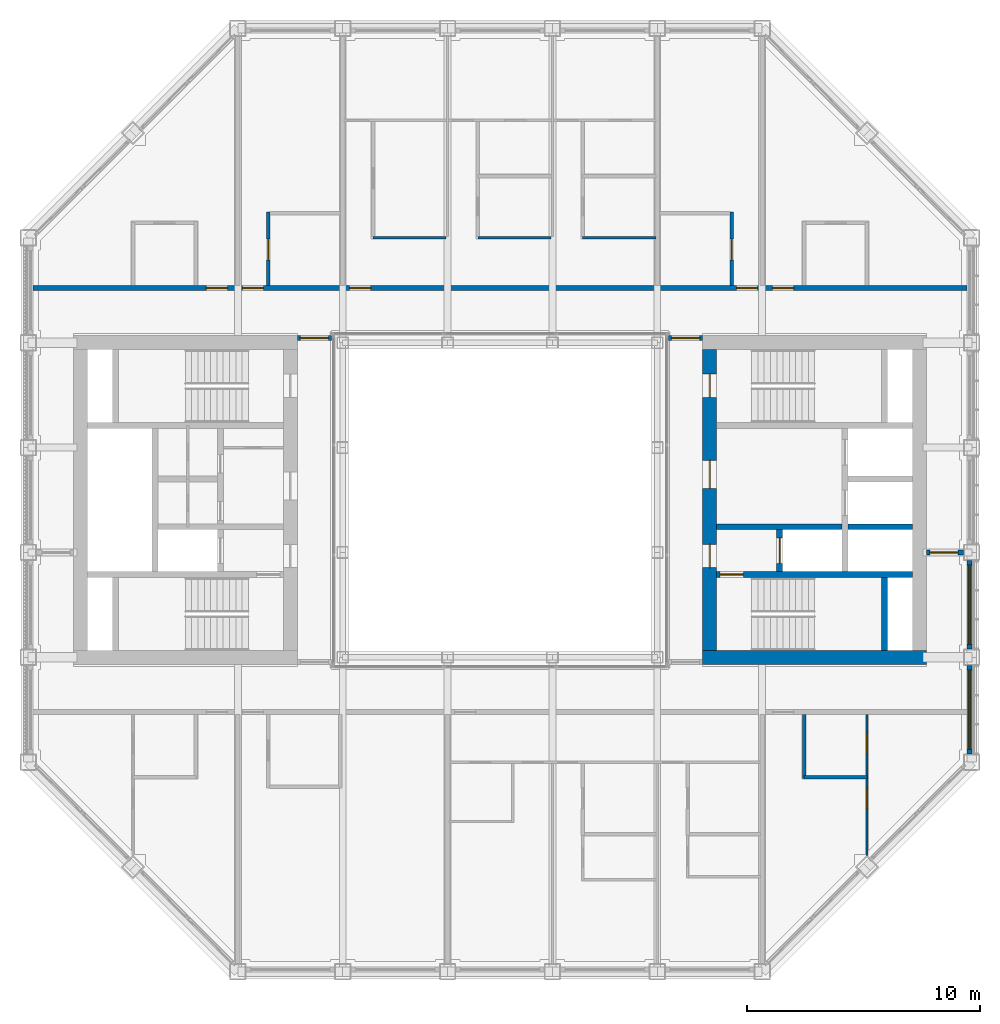
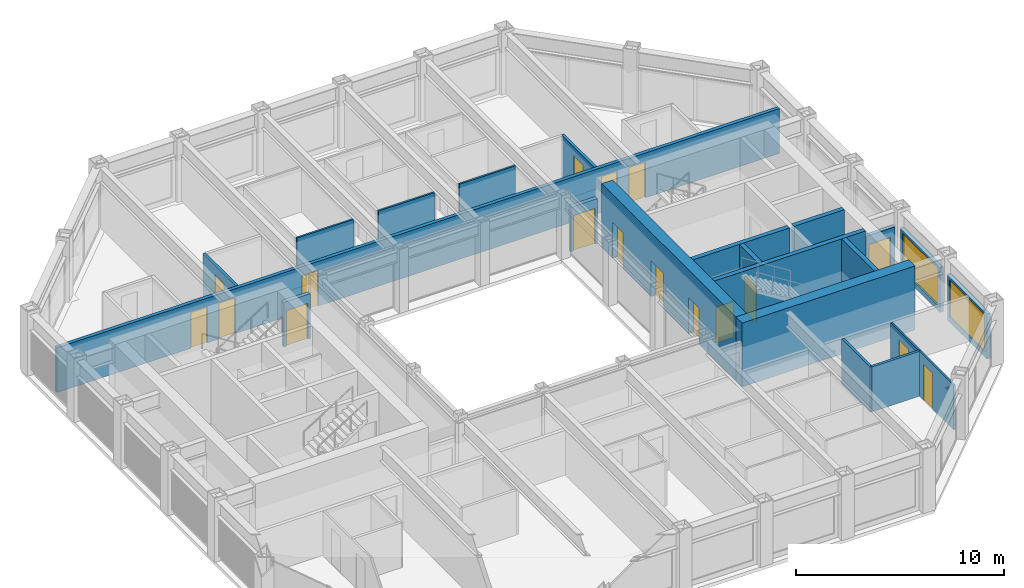
# One storey, part 11 of 17: 21 walls, 17 doors, 2 windows, 19 openings.
"""IFC4 building model written with IfcOpenShell, lengths in metres."""

from ifc_helpers import new_model, si_unit, direction, frame, frame_2d, origin, place, context, subcontext, project, spatial, rectangle, extrude, material, layer, layer_set, type_object, element, fill, save


model = new_model("IFC4")

# Units and contexts
model_context = context("Model", 3, precision=1e-05, world=origin(), true_north=direction((0.0, 1.0)))
body_context = subcontext(model_context, "Body", "Model", "MODEL_VIEW")
ifc_project = project(units=[si_unit("LENGTHUNIT", "METRE"), si_unit("AREAUNIT", "SQUARE_METRE"), si_unit("VOLUMEUNIT", "CUBIC_METRE"), si_unit("PLANEANGLEUNIT", "RADIAN"), si_unit("MASSUNIT", "GRAM", prefix="KILO")], contexts=[model_context])

# Site, building, storey
site_placement = place(None, origin())
site = spatial("IfcSite", under=ifc_project, at=site_placement, CompositionType="ELEMENT")
building_placement = place(site_placement, origin())
building = spatial("IfcBuilding", under=site, at=building_placement, Name="Msasa Ring Tower", CompositionType="ELEMENT")
storey_placement = place(building_placement, frame((0.0, 0.0, 238.300048828125)))
storey = spatial("IfcBuildingStorey", under=building, at=storey_placement, Name="L62", CompositionType="ELEMENT", Elevation=238.300048828125)

# Wall
ifc_material_1 = material(Name="Concrete C60/75", Category="concrete")
ifc_layer_1 = layer(ifc_material_1, 0.60009765625)
ifc_layer_set_1 = layer_set([ifc_layer_1], Name="CW3 CORE WALL 600")
wall_type_1 = type_object("IfcWallType", Name="CW3 CORE WALL 600", PredefinedType="SHEAR", material=ifc_layer_set_1)
wall_1_placement = place(storey_placement, frame((8.699951171875, -6.75, 0.0), z_axis=(0.0, 0.0, 1.0), x_axis=(1.0, 0.0, 0.0)))
element("IfcWall", 1, at=wall_1_placement, inside=storey, type_object=wall_type_1, Name="E core wall S L62", PredefinedType="SHEAR", context=body_context, shape_type="SweptSolid", body=[
    extrude(rectangle(XDim=9.60009765625, YDim=0.60009765625, at=frame_2d((4.800048828125, 0.0))), origin(), (0.0, 0.0, 1.0), 3.75),
])

# Wall, openings, doors
wall_2_placement = place(storey_placement, frame((9.0, -6.449951171875, 0.0), z_axis=(0.0, 0.0, 1.0), x_axis=(0.0, 1.0, 0.0)))
wall_2 = element("IfcWall", 2, at=wall_2_placement, inside=storey, type_object=wall_type_1, Name="E core wall W L62", PredefinedType="SHEAR", context=body_context, shape_type="SweptSolid", body=[
    extrude(rectangle(XDim=12.89990234375, YDim=0.60009765625, at=frame_2d((6.449951171875, 0.0))), origin(), (0.0, 0.0, 1.0), 3.75),
])
opening_1_placement = place(wall_2_placement, frame((3.550048828125, 0.0, 0.0)))
opening_1 = element("IfcOpeningElement", 3, at=opening_1_placement, cuts=wall_2, Name="Opening SD-032", PredefinedType="OPENING", context=body_context, shape_type="SweptSolid", body=[
    extrude(rectangle(XDim=1.0, YDim=2.10009765625, at=frame_2d((0.5, 1.050048828125))), frame((0.0, 0.31005859375, 0.0), z_axis=(0.0, -1.0, 0.0), x_axis=(1.0, 0.0, 0.0)), (0.0, 0.0, 1.0), 0.6201171875),
])
opening_2_placement = place(wall_2_placement, frame((6.949951171875, 0.0, 0.0)))
opening_2 = element("IfcOpeningElement", 4, at=opening_2_placement, cuts=wall_2, Name="Opening SD-025", PredefinedType="OPENING", context=body_context, shape_type="SweptSolid", body=[
    extrude(rectangle(XDim=1.199951171875, YDim=2.10009765625, at=frame_2d((0.60009765625, 1.050048828125))), frame((0.0, 0.31005859375, 0.0), z_axis=(0.0, -1.0, 0.0), x_axis=(1.0, 0.0, 0.0)), (0.0, 0.0, 1.0), 0.6201171875),
])
opening_3_placement = place(wall_2_placement, frame((10.85009765625, 0.0, 0.0)))
opening_3 = element("IfcOpeningElement", 5, at=opening_3_placement, cuts=wall_2, Name="Opening SD-021", PredefinedType="OPENING", context=body_context, shape_type="SweptSolid", body=[
    extrude(rectangle(XDim=1.0, YDim=2.10009765625, at=frame_2d((0.5, 1.050048828125))), frame((0.0, 0.31005859375, 0.0), z_axis=(0.0, -1.0, 0.0), x_axis=(1.0, 0.0, 0.0)), (0.0, 0.0, 1.0), 0.6201171875),
])
ifc_material_2 = material(Name="Timber door leaf in a steel frame", Category="steel")
door_type_1 = type_object("IfcDoorType", Name="D4 LOBBY DOOR 1000x2100", OperationType="SINGLE_SWING_LEFT", PredefinedType="DOOR", material=ifc_material_2)
door_1_placement = place(opening_1_placement, origin())
door_1 = element("IfcDoor", 6, at=door_1_placement, inside=storey, type_object=door_type_1, Name="Door L62-EFFL", OperationType="SINGLE_SWING_LEFT", OverallHeight=2.10009765625, OverallWidth=1.0, PredefinedType="DOOR", context=body_context, shape_type="SweptSolid", body=[
    extrude(rectangle(XDim=1.0, YDim=2.10009765625, at=frame_2d((0.5, 1.050048828125))), frame((0.0, 0.02490234375, 0.0), z_axis=(0.0, -1.0, 0.0), x_axis=(1.0, 0.0, 0.0)), (0.0, 0.0, 1.0), 0.050048828125),
])
fill(opening_1, door_1)
ifc_material_3 = material(Name="Timber door leaf in a steel frame", Category="steel")
door_type_2 = type_object("IfcDoorType", Name="D5 WIDE LOBBY DOOR 1200x2100", OperationType="SINGLE_SWING_LEFT", PredefinedType="DOOR", material=ifc_material_3)
door_2_placement = place(opening_2_placement, origin())
door_2 = element("IfcDoor", 7, at=door_2_placement, inside=storey, type_object=door_type_2, Name="Door L62-ELL", OperationType="SINGLE_SWING_RIGHT", OverallHeight=2.10009765625, OverallWidth=1.199951171875, PredefinedType="DOOR", context=body_context, shape_type="SweptSolid", body=[
    extrude(rectangle(XDim=1.199951171875, YDim=2.10009765625, at=frame_2d((0.60009765625, 1.050048828125))), frame((0.0, 0.02490234375, 0.0), z_axis=(0.0, -1.0, 0.0), x_axis=(1.0, 0.0, 0.0)), (0.0, 0.0, 1.0), 0.050048828125),
])
fill(opening_2, door_2)
ifc_material_4 = material(Name="Timber door leaf in a steel frame", Category="steel")
door_type_3 = type_object("IfcDoorType", Name="D6 STAIR DOOR 1000x2100", OperationType="SINGLE_SWING_LEFT", PredefinedType="DOOR", material=ifc_material_4)
door_3_placement = place(opening_3_placement, origin())
door_3 = element("IfcDoor", 8, at=door_3_placement, inside=storey, type_object=door_type_3, Name="Door L62-ESTB", OperationType="SINGLE_SWING_RIGHT", OverallHeight=2.10009765625, OverallWidth=1.0, PredefinedType="DOOR", context=body_context, shape_type="SweptSolid", body=[
    extrude(rectangle(XDim=1.0, YDim=2.10009765625, at=frame_2d((0.5, 1.050048828125))), frame((0.0, 0.02490234375, 0.0), z_axis=(0.0, -1.0, 0.0), x_axis=(1.0, 0.0, 0.0)), (0.0, 0.0, 1.0), 0.050048828125),
])
fill(opening_3, door_3)

# Wall, opening, door
ifc_material_5 = material(Name="Concrete C60/75", Category="concrete")
ifc_layer_2 = layer(ifc_material_5, 0.25)
ifc_layer_set_2 = layer_set([ifc_layer_2], Name="CW4 CORE INNER WALL 250")
wall_type_2 = type_object("IfcWallType", Name="CW4 CORE INNER WALL 250", PredefinedType="SHEAR", material=ifc_layer_set_2)
wall_3_placement = place(storey_placement, frame((9.300048828125, -3.199951171875, 0.0), z_axis=(0.0, 0.0, 1.0), x_axis=(1.0, 0.0, 0.0)))
wall_3 = element("IfcWall", 9, at=wall_3_placement, inside=storey, type_object=wall_type_2, Name="E core wall STAIRA L62", PredefinedType="SHEAR", context=body_context, shape_type="SweptSolid", body=[
    extrude(rectangle(XDim=8.39990234375, YDim=0.25, at=frame_2d((4.199951171875, 0.0))), origin(), (0.0, 0.0, 1.0), 3.75),
])
opening_4_placement = place(wall_3_placement, frame((0.14990234375, 0.0, 0.0)))
opening_4 = element("IfcOpeningElement", 10, at=opening_4_placement, cuts=wall_3, Name="Opening SD-034", PredefinedType="OPENING", context=body_context, shape_type="SweptSolid", body=[
    extrude(rectangle(XDim=1.0, YDim=2.10009765625, at=frame_2d((0.5, 1.050048828125))), frame((0.0, 0.135009765625, 0.0), z_axis=(0.0, -1.0, 0.0), x_axis=(1.0, 0.0, 0.0)), (0.0, 0.0, 1.0), 0.27001953125),
])
door_4_placement = place(opening_4_placement, origin())
door_4 = element("IfcDoor", 11, at=door_4_placement, inside=storey, type_object=door_type_3, Name="Door L62-ESTA", OperationType="SINGLE_SWING_LEFT", OverallHeight=2.10009765625, OverallWidth=1.0, PredefinedType="DOOR", context=body_context, shape_type="SweptSolid", body=[
    extrude(rectangle(XDim=1.0, YDim=2.10009765625, at=frame_2d((0.5, 1.050048828125))), frame((0.0, 0.02490234375, 0.0), z_axis=(0.0, -1.0, 0.0), x_axis=(1.0, 0.0, 0.0)), (0.0, 0.0, 1.0), 0.050048828125),
])
fill(opening_4, door_4)

# Walls
wall_4_placement = place(storey_placement, frame((16.5, -6.449951171875, 0.0), z_axis=(0.0, 0.0, 1.0), x_axis=(0.0, 1.0, 0.0)))
element("IfcWall", 12, at=wall_4_placement, inside=storey, type_object=wall_type_2, Name="E core wall RISERA L62", PredefinedType="SHEAR", context=body_context, shape_type="SweptSolid", body=[
    extrude(rectangle(XDim=3.125, YDim=0.25, at=frame_2d((1.5625, 0.0))), origin(), (0.0, 0.0, 1.0), 3.75),
])
wall_5_placement = place(storey_placement, frame((9.300048828125, -1.14990234375, 0.0), z_axis=(0.0, 0.0, 1.0), x_axis=(1.0, 0.0, 0.0)))
element("IfcWall", 13, at=wall_5_placement, inside=storey, type_object=wall_type_2, Name="E core wall FFL L62", PredefinedType="SHEAR", context=body_context, shape_type="SweptSolid", body=[
    extrude(rectangle(XDim=5.375, YDim=0.25, at=frame_2d((2.6875, 0.0))), origin(), (0.0, 0.0, 1.0), 3.75),
])

# Wall, opening, door
wall_6_placement = place(storey_placement, frame((12.0, -3.074951171875, 0.0), z_axis=(0.0, 0.0, 1.0), x_axis=(0.0, 1.0, 0.0)))
wall_6 = element("IfcWall", 14, at=wall_6_placement, inside=storey, type_object=wall_type_2, Name="E core wall LOBBY L62", PredefinedType="SHEAR", context=body_context, shape_type="SweptSolid", body=[
    extrude(rectangle(XDim=1.800048828125, YDim=0.25, at=frame_2d((0.89990234375, 0.0))), origin(), (0.0, 0.0, 1.0), 3.75),
])
opening_5_placement = place(wall_6_placement, frame((0.35009765625, 0.0, 0.0)))
opening_5 = element("IfcOpeningElement", 15, at=opening_5_placement, cuts=wall_6, Name="Opening LD1", PredefinedType="OPENING", context=body_context, shape_type="SweptSolid", body=[
    extrude(rectangle(XDim=1.10009765625, YDim=2.10009765625, at=frame_2d((0.550048828125, 1.050048828125))), frame((0.0, 0.135009765625, 0.0), z_axis=(0.0, -1.0, 0.0), x_axis=(1.0, 0.0, 0.0)), (0.0, 0.0, 1.0), 0.27001953125),
])
ifc_material_6 = material(Name="Stainless steel lift landing door", Category="steel")
door_type_4 = type_object("IfcDoorType", Name="LD1 LIFT LANDING DOOR 1100x2100", OperationType="DOUBLE_DOOR_SLIDING", PredefinedType="DOOR", material=ifc_material_6)
door_5_placement = place(opening_5_placement, origin())
door_5 = element("IfcDoor", 16, at=door_5_placement, inside=storey, type_object=door_type_4, Name="Lift landing door FL-E L62", OperationType="DOUBLE_DOOR_SLIDING", OverallHeight=2.10009765625, OverallWidth=1.10009765625, PredefinedType="DOOR", context=body_context, shape_type="SweptSolid", body=[
    extrude(rectangle(XDim=1.10009765625, YDim=2.10009765625, at=frame_2d((0.550048828125, 1.050048828125))), frame((0.0, 0.02490234375, 0.0), z_axis=(0.0, -1.0, 0.0), x_axis=(1.0, 0.0, 0.0)), (0.0, 0.0, 1.0), 0.050048828125),
])
fill(opening_5, door_5)

# Wall
wall_7_placement = place(storey_placement, frame((14.925048828125, -1.14990234375, 0.0), z_axis=(0.0, 0.0, 1.0), x_axis=(1.0, 0.0, 0.0)))
element("IfcWall", 17, at=wall_7_placement, inside=storey, type_object=wall_type_2, Name="E core wall HSEP L62", PredefinedType="SHEAR", context=body_context, shape_type="SweptSolid", body=[
    extrude(rectangle(XDim=2.77490234375, YDim=0.25, at=frame_2d((1.387451171875, 0.0))), origin(), (0.0, 0.0, 1.0), 3.75),
])

# Wall, opening, window
ifc_material_7 = material(Name="Terracotta rainscreen on blockwork", Category="masonry")
ifc_layer_3 = layer(ifc_material_7, 0.199951171875)
ifc_layer_set_3 = layer_set([ifc_layer_3], Name="FW1 TERRACOTTA-LINED INFILL BAY WALL 200")
wall_type_3 = type_object("IfcWallType", Name="FW1 TERRACOTTA-LINED INFILL BAY WALL 200", PredefinedType="SOLIDWALL", material=ifc_layer_set_3)
wall_8_placement = place(storey_placement, frame((20.14990234375, -10.89501953125, 0.0), z_axis=(0.0, 0.0, 1.0), x_axis=(0.0, 1.0, 0.0)))
wall_8 = element("IfcWall", 18, at=wall_8_placement, inside=storey, type_object=wall_type_3, Name="Infill bay wall E L62 07", PredefinedType="SOLIDWALL", context=body_context, shape_type="SweptSolid", body=[
    extrude(rectangle(XDim=3.7900390625, YDim=0.199951171875, at=frame_2d((1.89501953125, 0.0))), origin(), (0.0, 0.0, 1.0), 2.62890625),
])
opening_6_placement = place(wall_8_placement, frame((0.195068359375, 0.0, 0.300048828125)))
opening_6 = element("IfcOpeningElement", 19, at=opening_6_placement, cuts=wall_8, Name="Opening WN3", PredefinedType="OPENING", context=body_context, shape_type="SweptSolid", body=[
    extrude(rectangle(XDim=3.39990234375, YDim=2.178955078125, at=frame_2d((1.699951171875, 1.08935546875))), frame((0.0, 0.10986328125, 0.0), z_axis=(0.0, -1.0, 0.0), x_axis=(1.0, 0.0, 0.0)), (0.0, 0.0, 1.0), 0.219970703125),
])
ifc_material_8 = material(Name="Aluminium frame with clear glass", Category="aluminium")
window_type = type_object("IfcWindowType", Name="WN3 SUITE WINDOW 3400x2179", PartitioningType="SINGLE_PANEL", PredefinedType="WINDOW", material=ifc_material_8)
window_1_placement = place(opening_6_placement, origin())
window_1 = element("IfcWindow", 20, at=window_1_placement, inside=storey, type_object=window_type, Name="Window E L62 07", OverallHeight=2.178955078125, OverallWidth=3.39990234375, PartitioningType="SINGLE_PANEL", PredefinedType="WINDOW", context=body_context, shape_type="SweptSolid", body=[
    extrude(rectangle(XDim=3.39990234375, YDim=2.178955078125, at=frame_2d((1.699951171875, 1.08935546875))), frame((0.0, 0.030029296875, 0.0), z_axis=(0.0, -1.0, 0.0), x_axis=(1.0, 0.0, 0.0)), (0.0, 0.0, 1.0), 0.06005859375),
])
fill(opening_6, window_1)

wall_9_placement = place(storey_placement, frame((20.14990234375, -6.39501953125, 0.0), z_axis=(0.0, 0.0, 1.0), x_axis=(0.0, 1.0, 0.0)))
wall_9 = element("IfcWall", 21, at=wall_9_placement, inside=storey, type_object=wall_type_3, Name="Infill bay wall E L62 08", PredefinedType="SOLIDWALL", context=body_context, shape_type="SweptSolid", body=[
    extrude(rectangle(XDim=3.7900390625, YDim=0.199951171875, at=frame_2d((1.89501953125, 0.0))), origin(), (0.0, 0.0, 1.0), 2.62890625),
])
opening_7_placement = place(wall_9_placement, frame((0.195068359375, 0.0, 0.300048828125)))
opening_7 = element("IfcOpeningElement", 22, at=opening_7_placement, cuts=wall_9, Name="Opening WN3", PredefinedType="OPENING", context=body_context, shape_type="SweptSolid", body=[
    extrude(rectangle(XDim=3.39990234375, YDim=2.178955078125, at=frame_2d((1.699951171875, 1.08935546875))), frame((0.0, 0.10986328125, 0.0), z_axis=(0.0, -1.0, 0.0), x_axis=(1.0, 0.0, 0.0)), (0.0, 0.0, 1.0), 0.219970703125),
])
window_2_placement = place(opening_7_placement, origin())
window_2 = element("IfcWindow", 23, at=window_2_placement, inside=storey, type_object=window_type, Name="Window E L62 08", OverallHeight=2.178955078125, OverallWidth=3.39990234375, PartitioningType="SINGLE_PANEL", PredefinedType="WINDOW", context=body_context, shape_type="SweptSolid", body=[
    extrude(rectangle(XDim=3.39990234375, YDim=2.178955078125, at=frame_2d((1.699951171875, 1.08935546875))), frame((0.0, 0.030029296875, 0.0), z_axis=(0.0, -1.0, 0.0), x_axis=(1.0, 0.0, 0.0)), (0.0, 0.0, 1.0), 0.06005859375),
])
fill(opening_7, window_2)

# Wall, opening, door
ifc_material_9 = material(Name="Concrete blockwork", Category="masonry")
ifc_layer_4 = layer(ifc_material_9, 0.199951171875)
ifc_layer_set_4 = layer_set([ifc_layer_4], Name="PT1 CORRIDOR WALL 200")
wall_type_4 = type_object("IfcWallType", Name="PT1 CORRIDOR WALL 200", PredefinedType="PARTITIONING", material=ifc_layer_set_4)
wall_10_placement = place(storey_placement, frame((18.300048828125, -2.25, 0.0), z_axis=(0.0, 0.0, 1.0), x_axis=(1.0, 0.0, 0.0)))
wall_10 = element("IfcWall", 24, at=wall_10_placement, inside=storey, type_object=wall_type_4, Name="Corridor wall L62-WSE", PredefinedType="PARTITIONING", context=body_context, shape_type="SweptSolid", body=[
    extrude(rectangle(XDim=1.599853515625, YDim=0.199951171875, at=frame_2d((0.7998046875, 0.0))), origin(), (0.0, 0.0, 1.0), 2.62890625),
])
opening_8_placement = place(wall_10_placement, frame((0.14990234375, 0.0, 0.0)))
opening_8 = element("IfcOpeningElement", 25, at=opening_8_placement, cuts=wall_10, Name="Opening SD-030", PredefinedType="OPENING", context=body_context, shape_type="SweptSolid", body=[
    extrude(rectangle(XDim=1.199951171875, YDim=2.10009765625, at=frame_2d((0.60009765625, 1.050048828125))), frame((0.0, 0.10986328125, 0.0), z_axis=(0.0, -1.0, 0.0), x_axis=(1.0, 0.0, 0.0)), (0.0, 0.0, 1.0), 0.219970703125),
])
ifc_material_10 = material(Name="Timber door leaf in a steel frame", Category="steel")
door_type_5 = type_object("IfcDoorType", Name="D25 CORRIDOR PAIR OF SMOKE DOORS 1200x2100", OperationType="DOUBLE_DOOR_DOUBLE_SWING", PredefinedType="DOOR", material=ifc_material_10)
door_6_placement = place(opening_8_placement, origin())
door_6 = element("IfcDoor", 26, at=door_6_placement, inside=storey, type_object=door_type_5, Name="Door L62-WSE", OperationType="DOUBLE_DOOR_DOUBLE_SWING", OverallHeight=2.10009765625, OverallWidth=1.199951171875, PredefinedType="DOOR", context=body_context, shape_type="SweptSolid", body=[
    extrude(rectangle(XDim=1.199951171875, YDim=2.10009765625, at=frame_2d((0.60009765625, 1.050048828125))), frame((0.0, 0.02490234375, 0.0), z_axis=(0.0, -1.0, 0.0), x_axis=(1.0, 0.0, 0.0)), (0.0, 0.0, 1.0), 0.050048828125),
])
fill(opening_8, door_6)

wall_11_placement = place(storey_placement, frame((7.22998046875, 6.949951171875, 0.0), z_axis=(0.0, 0.0, 1.0), x_axis=(1.0, 0.0, 0.0)))
wall_11 = element("IfcWall", 27, at=wall_11_placement, inside=storey, type_object=wall_type_4, Name="Corridor wall L62-SDEN", PredefinedType="PARTITIONING", context=body_context, shape_type="SweptSolid", body=[
    extrude(rectangle(XDim=1.469970703125, YDim=0.199951171875, at=frame_2d((0.73486328125, 0.0))), origin(), (0.0, 0.0, 1.0), 2.62890625),
])
opening_9_placement = place(wall_11_placement, frame((0.135009765625, 0.0, 0.0)))
opening_9 = element("IfcOpeningElement", 28, at=opening_9_placement, cuts=wall_11, Name="Opening SD-019", PredefinedType="OPENING", context=body_context, shape_type="SweptSolid", body=[
    extrude(rectangle(XDim=1.199951171875, YDim=2.10009765625, at=frame_2d((0.60009765625, 1.050048828125))), frame((0.0, 0.10986328125, 0.0), z_axis=(0.0, -1.0, 0.0), x_axis=(1.0, 0.0, 0.0)), (0.0, 0.0, 1.0), 0.219970703125),
])
door_7_placement = place(opening_9_placement, origin())
door_7 = element("IfcDoor", 29, at=door_7_placement, inside=storey, type_object=door_type_5, Name="Door L62-SDEN", OperationType="DOUBLE_DOOR_DOUBLE_SWING", OverallHeight=2.10009765625, OverallWidth=1.199951171875, PredefinedType="DOOR", context=body_context, shape_type="SweptSolid", body=[
    extrude(rectangle(XDim=1.199951171875, YDim=2.10009765625, at=frame_2d((0.60009765625, 1.050048828125))), frame((0.0, 0.02490234375, 0.0), z_axis=(0.0, -1.0, 0.0), x_axis=(1.0, 0.0, 0.0)), (0.0, 0.0, 1.0), 0.050048828125),
])
fill(opening_9, door_7)

wall_12_placement = place(storey_placement, frame((-8.699951171875, 6.949951171875, 0.0), z_axis=(0.0, 0.0, 1.0), x_axis=(1.0, 0.0, 0.0)))
wall_12 = element("IfcWall", 30, at=wall_12_placement, inside=storey, type_object=wall_type_4, Name="Corridor wall L62-SDWN", PredefinedType="PARTITIONING", context=body_context, shape_type="SweptSolid", body=[
    extrude(rectangle(XDim=1.469970703125, YDim=0.199951171875, at=frame_2d((0.73486328125, 0.0))), origin(), (0.0, 0.0, 1.0), 2.62890625),
])
opening_10_placement = place(wall_12_placement, frame((0.135009765625, 0.0, 0.0)))
opening_10 = element("IfcOpeningElement", 31, at=opening_10_placement, cuts=wall_12, Name="Opening SD-018", PredefinedType="OPENING", context=body_context, shape_type="SweptSolid", body=[
    extrude(rectangle(XDim=1.199951171875, YDim=2.10009765625, at=frame_2d((0.60009765625, 1.050048828125))), frame((0.0, 0.10986328125, 0.0), z_axis=(0.0, -1.0, 0.0), x_axis=(1.0, 0.0, 0.0)), (0.0, 0.0, 1.0), 0.219970703125),
])
door_8_placement = place(opening_10_placement, origin())
door_8 = element("IfcDoor", 32, at=door_8_placement, inside=storey, type_object=door_type_5, Name="Door L62-SDWN", OperationType="DOUBLE_DOOR_DOUBLE_SWING", OverallHeight=2.10009765625, OverallWidth=1.199951171875, PredefinedType="DOOR", context=body_context, shape_type="SweptSolid", body=[
    extrude(rectangle(XDim=1.199951171875, YDim=2.10009765625, at=frame_2d((0.60009765625, 1.050048828125))), frame((0.0, 0.02490234375, 0.0), z_axis=(0.0, -1.0, 0.0), x_axis=(1.0, 0.0, 0.0)), (0.0, 0.0, 1.0), 0.050048828125),
])
fill(opening_10, door_8)

# Wall, openings, doors
wall_13_placement = place(storey_placement, frame((-20.050048828125, 9.10009765625, 0.0), z_axis=(0.0, 0.0, 1.0), x_axis=(1.0, 0.0, 0.0)))
wall_13 = element("IfcWall", 33, at=wall_13_placement, inside=storey, type_object=wall_type_4, Name="Corridor wall L62-CORRN0", PredefinedType="PARTITIONING", context=body_context, shape_type="SweptSolid", body=[
    extrude(rectangle(XDim=40.10009765625, YDim=0.199951171875, at=frame_2d((20.050048828125, 0.0))), origin(), (0.0, 0.0, 1.0), 2.62890625),
])
opening_11_placement = place(wall_13_placement, frame((9.0, 0.0, 0.0)))
opening_11 = element("IfcOpeningElement", 34, at=opening_11_placement, cuts=wall_13, Name="Opening SD-014", PredefinedType="OPENING", context=body_context, shape_type="SweptSolid", body=[
    extrude(rectangle(XDim=0.89990234375, YDim=2.10009765625, at=frame_2d((0.449951171875, 1.050048828125))), frame((0.0, 0.10986328125, 0.0), z_axis=(0.0, -1.0, 0.0), x_axis=(1.0, 0.0, 0.0)), (0.0, 0.0, 1.0), 0.219970703125),
])
opening_12_placement = place(wall_13_placement, frame((13.60009765625, 0.0, 0.0)))
opening_12 = element("IfcOpeningElement", 35, at=opening_12_placement, cuts=wall_13, Name="Opening SD-015", PredefinedType="OPENING", context=body_context, shape_type="SweptSolid", body=[
    extrude(rectangle(XDim=0.89990234375, YDim=2.10009765625, at=frame_2d((0.449951171875, 1.050048828125))), frame((0.0, 0.10986328125, 0.0), z_axis=(0.0, -1.0, 0.0), x_axis=(1.0, 0.0, 0.0)), (0.0, 0.0, 1.0), 0.219970703125),
])
opening_13_placement = place(wall_13_placement, frame((30.199951171875, 0.0, 0.0)))
opening_13 = element("IfcOpeningElement", 36, at=opening_13_placement, cuts=wall_13, Name="Opening SD-016", PredefinedType="OPENING", context=body_context, shape_type="SweptSolid", body=[
    extrude(rectangle(XDim=0.89990234375, YDim=2.10009765625, at=frame_2d((0.449951171875, 1.050048828125))), frame((0.0, 0.10986328125, 0.0), z_axis=(0.0, -1.0, 0.0), x_axis=(1.0, 0.0, 0.0)), (0.0, 0.0, 1.0), 0.219970703125),
])
opening_14_placement = place(wall_13_placement, frame((31.75, 0.0, 0.0)))
opening_14 = element("IfcOpeningElement", 37, at=opening_14_placement, cuts=wall_13, Name="Opening SD-017", PredefinedType="OPENING", context=body_context, shape_type="SweptSolid", body=[
    extrude(rectangle(XDim=0.89990234375, YDim=2.10009765625, at=frame_2d((0.449951171875, 1.050048828125))), frame((0.0, 0.10986328125, 0.0), z_axis=(0.0, -1.0, 0.0), x_axis=(1.0, 0.0, 0.0)), (0.0, 0.0, 1.0), 0.219970703125),
])
opening_15_placement = place(wall_13_placement, frame((7.449951171875, 0.0, 0.0)))
opening_15 = element("IfcOpeningElement", 38, at=opening_15_placement, cuts=wall_13, Name="Opening SD-013", PredefinedType="OPENING", context=body_context, shape_type="SweptSolid", body=[
    extrude(rectangle(XDim=0.89990234375, YDim=2.10009765625, at=frame_2d((0.449951171875, 1.050048828125))), frame((0.0, 0.10986328125, 0.0), z_axis=(0.0, -1.0, 0.0), x_axis=(1.0, 0.0, 0.0)), (0.0, 0.0, 1.0), 0.219970703125),
])
ifc_material_11 = material(Name="Timber door leaf in a steel frame", Category="steel")
door_type_6 = type_object("IfcDoorType", Name="D1 SINGLE DOOR TO CORRIDOR 900x2100", OperationType="SINGLE_SWING_LEFT", PredefinedType="DOOR", material=ifc_material_11)
door_9_placement = place(opening_11_placement, origin())
door_9 = element("IfcDoor", 39, at=door_9_placement, inside=storey, type_object=door_type_6, Name="Door L62-JN00", OperationType="SINGLE_SWING_LEFT", OverallHeight=2.10009765625, OverallWidth=0.89990234375, PredefinedType="DOOR", context=body_context, shape_type="SweptSolid", body=[
    extrude(rectangle(XDim=0.89990234375, YDim=2.10009765625, at=frame_2d((0.449951171875, 1.050048828125))), frame((0.0, 0.02490234375, 0.0), z_axis=(0.0, -1.0, 0.0), x_axis=(1.0, 0.0, 0.0)), (0.0, 0.0, 1.0), 0.050048828125),
])
fill(opening_11, door_9)
door_10_placement = place(opening_13_placement, origin())
door_10 = element("IfcDoor", 40, at=door_10_placement, inside=storey, type_object=door_type_6, Name="Door L62-JN02", OperationType="SINGLE_SWING_RIGHT", OverallHeight=2.10009765625, OverallWidth=0.89990234375, PredefinedType="DOOR", context=body_context, shape_type="SweptSolid", body=[
    extrude(rectangle(XDim=0.89990234375, YDim=2.10009765625, at=frame_2d((0.449951171875, 1.050048828125))), frame((0.0, 0.02490234375, 0.0), z_axis=(0.0, -1.0, 0.0), x_axis=(1.0, 0.0, 0.0)), (0.0, 0.0, 1.0), 0.050048828125),
])
fill(opening_13, door_10)
ifc_material_12 = material(Name="Timber door leaf in a steel frame", Category="steel")
door_type_7 = type_object("IfcDoorType", Name="D2 ENTRANCE DOOR 900x2100", OperationType="SINGLE_SWING_LEFT", PredefinedType="DOOR", material=ifc_material_12)
door_11_placement = place(opening_12_placement, origin())
door_11 = element("IfcDoor", 41, at=door_11_placement, inside=storey, type_object=door_type_7, Name="Door L62-JN01", OperationType="SINGLE_SWING_LEFT", OverallHeight=2.10009765625, OverallWidth=0.89990234375, PredefinedType="DOOR", context=body_context, shape_type="SweptSolid", body=[
    extrude(rectangle(XDim=0.89990234375, YDim=2.10009765625, at=frame_2d((0.449951171875, 1.050048828125))), frame((0.0, 0.02490234375, 0.0), z_axis=(0.0, -1.0, 0.0), x_axis=(1.0, 0.0, 0.0)), (0.0, 0.0, 1.0), 0.050048828125),
])
fill(opening_12, door_11)
door_12_placement = place(opening_14_placement, origin())
door_12 = element("IfcDoor", 42, at=door_12_placement, inside=storey, type_object=door_type_7, Name="Door L62-CSNE", OperationType="SINGLE_SWING_RIGHT", OverallHeight=2.10009765625, OverallWidth=0.89990234375, PredefinedType="DOOR", context=body_context, shape_type="SweptSolid", body=[
    extrude(rectangle(XDim=0.89990234375, YDim=2.10009765625, at=frame_2d((0.449951171875, 1.050048828125))), frame((0.0, 0.02490234375, 0.0), z_axis=(0.0, -1.0, 0.0), x_axis=(1.0, 0.0, 0.0)), (0.0, 0.0, 1.0), 0.050048828125),
])
fill(opening_14, door_12)
door_13_placement = place(opening_15_placement, origin())
door_13 = element("IfcDoor", 43, at=door_13_placement, inside=storey, type_object=door_type_7, Name="Door L62-CSNW", OperationType="SINGLE_SWING_LEFT", OverallHeight=2.10009765625, OverallWidth=0.89990234375, PredefinedType="DOOR", context=body_context, shape_type="SweptSolid", body=[
    extrude(rectangle(XDim=0.89990234375, YDim=2.10009765625, at=frame_2d((0.449951171875, 1.050048828125))), frame((0.0, 0.02490234375, 0.0), z_axis=(0.0, -1.0, 0.0), x_axis=(1.0, 0.0, 0.0)), (0.0, 0.0, 1.0), 0.050048828125),
])
fill(opening_15, door_13)

# Walls
ifc_material_13 = material(Name="Gypsum board on steel studs", Category="steel")
ifc_layer_5 = layer(ifc_material_13, 0.10009765625)
ifc_layer_set_5 = layer_set([ifc_layer_5], Name="PT2 STUD PARTITION 100")
wall_type_5 = type_object("IfcWallType", Name="PT2 STUD PARTITION 100", PredefinedType="PARTITIONING", material=ifc_layer_set_5)
for number, where, z_axis, x_axis, name in (
    (44, (-5.449951171875, 11.25, 0.0), (0.0, 0.0, 1.0), (1.0, 0.0, 0.0), "Partition L62-JN01HY0"),
    (45, (-0.949951171875, 11.25, 0.0), (0.0, 0.0, 1.0), (1.0, 0.0, 0.0), "Partition L62-JN01HY1"),
    (46, (3.550048828125, 11.25, 0.0), (0.0, 0.0, 1.0), (1.0, 0.0, 0.0), "Partition L62-JN01HY2"),
):
    element("IfcWall", number, at=place(storey_placement, frame(where, z_axis=z_axis, x_axis=x_axis)), inside=storey, type_object=wall_type_5, Name=name, PredefinedType="PARTITIONING", context=body_context, shape_type="SweptSolid", body=[
        extrude(rectangle(XDim=3.139892578125, YDim=0.10009765625, at=frame_2d((1.56982421875, 0.0))), origin(), (0.0, 0.0, 1.0), 2.62890625),
    ])

# Wall, openings, doors
wall_14_placement = place(storey_placement, frame((15.75, -15.2548828125, 0.0), z_axis=(0.0, 0.0, 1.0), x_axis=(0.0, 1.0, 0.0)))
wall_14 = element("IfcWall", 47, at=wall_14_placement, inside=storey, type_object=wall_type_5, Name="Partition L62-CSSEP1", PredefinedType="PARTITIONING", context=body_context, shape_type="SweptSolid", body=[
    extrude(rectangle(XDim=6.054931640625, YDim=0.10009765625, at=frame_2d((3.02734375, 0.0))), origin(), (0.0, 0.0, 1.0), 2.62890625),
])
opening_16_placement = place(wall_14_placement, frame((2.030029296875, 0.0, 0.0)))
opening_16 = element("IfcOpeningElement", 48, at=opening_16_placement, cuts=wall_14, Name="Opening SD-051", PredefinedType="OPENING", context=body_context, shape_type="SweptSolid", body=[
    extrude(rectangle(XDim=0.85009765625, YDim=2.10009765625, at=frame_2d((0.425048828125, 1.050048828125))), frame((0.0, 0.06005859375, 0.0), z_axis=(0.0, -1.0, 0.0), x_axis=(1.0, 0.0, 0.0)), (0.0, 0.0, 1.0), 0.1201171875),
])
opening_17_placement = place(wall_14_placement, frame((4.35498046875, 0.0, 0.0)))
opening_17 = element("IfcOpeningElement", 49, at=opening_17_placement, cuts=wall_14, Name="Opening SD-042", PredefinedType="OPENING", context=body_context, shape_type="SweptSolid", body=[
    extrude(rectangle(XDim=0.89990234375, YDim=2.10009765625, at=frame_2d((0.449951171875, 1.050048828125))), frame((0.0, 0.06005859375, 0.0), z_axis=(0.0, -1.0, 0.0), x_axis=(1.0, 0.0, 0.0)), (0.0, 0.0, 1.0), 0.1201171875),
])
ifc_material_14 = material(Name="Timber door leaf in a steel frame", Category="steel")
door_type_8 = type_object("IfcDoorType", Name="D14 BEDROOM DOOR 850x2100", OperationType="SINGLE_SWING_LEFT", PredefinedType="DOOR", material=ifc_material_14)
door_14_placement = place(opening_16_placement, origin())
door_14 = element("IfcDoor", 50, at=door_14_placement, inside=storey, type_object=door_type_8, Name="Door L62-CSSER1", OperationType="SINGLE_SWING_LEFT", OverallHeight=2.10009765625, OverallWidth=0.85009765625, PredefinedType="DOOR", context=body_context, shape_type="SweptSolid", body=[
    extrude(rectangle(XDim=0.85009765625, YDim=2.10009765625, at=frame_2d((0.425048828125, 1.050048828125))), frame((0.0, 0.02490234375, 0.0), z_axis=(0.0, -1.0, 0.0), x_axis=(1.0, 0.0, 0.0)), (0.0, 0.0, 1.0), 0.050048828125),
])
fill(opening_16, door_14)
ifc_material_15 = material(Name="Timber door leaf in a steel frame", Category="steel")
door_type_9 = type_object("IfcDoorType", Name="D3 BATHROOM DOOR 900x2100", OperationType="SINGLE_SWING_LEFT", PredefinedType="DOOR", material=ifc_material_15)
door_15_placement = place(opening_17_placement, origin())
door_15 = element("IfcDoor", 51, at=door_15_placement, inside=storey, type_object=door_type_9, Name="Door L62-CSSEB1", OperationType="SINGLE_SWING_RIGHT", OverallHeight=2.10009765625, OverallWidth=0.89990234375, PredefinedType="DOOR", context=body_context, shape_type="SweptSolid", body=[
    extrude(rectangle(XDim=0.89990234375, YDim=2.10009765625, at=frame_2d((0.449951171875, 1.050048828125))), frame((0.0, 0.02490234375, 0.0), z_axis=(0.0, -1.0, 0.0), x_axis=(1.0, 0.0, 0.0)), (0.0, 0.0, 1.0), 0.050048828125),
])
fill(opening_17, door_15)

# Wall, opening, door
ifc_material_16 = material(Name="Moisture-resistant board on steel studs with a concealed cistern and pipe void, tiled", Category="steel")
ifc_layer_6 = layer(ifc_material_16, 0.14990234375)
ifc_layer_set_6 = layer_set([ifc_layer_6], Name="PT4 BATHROOM WET WALL 150")
wall_type_6 = type_object("IfcWallType", Name="PT4 BATHROOM WET WALL 150", PredefinedType="PARTITIONING", material=ifc_layer_set_6)
wall_15_placement = place(storey_placement, frame((-9.949951171875, 9.199951171875, 0.0), z_axis=(0.0, 0.0, 1.0), x_axis=(0.0, 1.0, 0.0)))
wall_15 = element("IfcWall", 52, at=wall_15_placement, inside=storey, type_object=wall_type_6, Name="Partition L62-JN00BX", PredefinedType="PARTITIONING", context=body_context, shape_type="SweptSolid", body=[
    extrude(rectangle(XDim=3.150146484375, YDim=0.14990234375, at=frame_2d((1.5751953125, 0.0))), origin(), (0.0, 0.0, 1.0), 2.62890625),
])
opening_18_placement = place(wall_15_placement, frame((1.10009765625, 0.0, 0.0)))
opening_18 = element("IfcOpeningElement", 53, at=opening_18_placement, cuts=wall_15, Name="Opening SD-011", PredefinedType="OPENING", context=body_context, shape_type="SweptSolid", body=[
    extrude(rectangle(XDim=0.89990234375, YDim=2.10009765625, at=frame_2d((0.449951171875, 1.050048828125))), frame((0.0, 0.0849609375, 0.0), z_axis=(0.0, -1.0, 0.0), x_axis=(1.0, 0.0, 0.0)), (0.0, 0.0, 1.0), 0.169921875),
])
door_16_placement = place(opening_18_placement, origin())
door_16 = element("IfcDoor", 54, at=door_16_placement, inside=storey, type_object=door_type_9, Name="Door L62-JN00B", OperationType="SINGLE_SWING_LEFT", OverallHeight=2.10009765625, OverallWidth=0.89990234375, PredefinedType="DOOR", context=body_context, shape_type="SweptSolid", body=[
    extrude(rectangle(XDim=0.89990234375, YDim=2.10009765625, at=frame_2d((0.449951171875, 1.050048828125))), frame((0.0, 0.02490234375, 0.0), z_axis=(0.0, -1.0, 0.0), x_axis=(1.0, 0.0, 0.0)), (0.0, 0.0, 1.0), 0.050048828125),
])
fill(opening_18, door_16)

wall_16_placement = place(storey_placement, frame((9.949951171875, 9.199951171875, 0.0), z_axis=(0.0, 0.0, 1.0), x_axis=(0.0, 1.0, 0.0)))
wall_16 = element("IfcWall", 55, at=wall_16_placement, inside=storey, type_object=wall_type_6, Name="Partition L62-JN02BX", PredefinedType="PARTITIONING", context=body_context, shape_type="SweptSolid", body=[
    extrude(rectangle(XDim=3.150146484375, YDim=0.14990234375, at=frame_2d((1.5751953125, 0.0))), origin(), (0.0, 0.0, 1.0), 2.62890625),
])
opening_19_placement = place(wall_16_placement, frame((1.10009765625, 0.0, 0.0)))
opening_19 = element("IfcOpeningElement", 56, at=opening_19_placement, cuts=wall_16, Name="Opening SD-012", PredefinedType="OPENING", context=body_context, shape_type="SweptSolid", body=[
    extrude(rectangle(XDim=0.89990234375, YDim=2.10009765625, at=frame_2d((0.449951171875, 1.050048828125))), frame((0.0, 0.0849609375, 0.0), z_axis=(0.0, -1.0, 0.0), x_axis=(1.0, 0.0, 0.0)), (0.0, 0.0, 1.0), 0.169921875),
])
door_17_placement = place(opening_19_placement, origin())
door_17 = element("IfcDoor", 57, at=door_17_placement, inside=storey, type_object=door_type_9, Name="Door L62-JN02B", OperationType="SINGLE_SWING_LEFT", OverallHeight=2.10009765625, OverallWidth=0.89990234375, PredefinedType="DOOR", context=body_context, shape_type="SweptSolid", body=[
    extrude(rectangle(XDim=0.89990234375, YDim=2.10009765625, at=frame_2d((0.449951171875, 1.050048828125))), frame((0.0, 0.02490234375, 0.0), z_axis=(0.0, -1.0, 0.0), x_axis=(1.0, 0.0, 0.0)), (0.0, 0.0, 1.0), 0.050048828125),
])
fill(opening_19, door_17)

# Walls
wall_17_placement = place(storey_placement, frame((13.050048828125, -11.949951171875, 0.0), z_axis=(0.0, 0.0, 1.0), x_axis=(0.0, 1.0, 0.0)))
element("IfcWall", 58, at=wall_17_placement, inside=storey, type_object=wall_type_6, Name="Partition L62-CSSEBX", PredefinedType="PARTITIONING", context=body_context, shape_type="SweptSolid", body=[
    extrude(rectangle(XDim=2.75, YDim=0.14990234375, at=frame_2d((1.375, 0.0))), origin(), (0.0, 0.0, 1.0), 2.62890625),
])
wall_18_placement = place(storey_placement, frame((13.050048828125, -11.89990234375, 0.0), z_axis=(0.0, 0.0, 1.0), x_axis=(1.0, 0.0, 0.0)))
element("IfcWall", 59, at=wall_18_placement, inside=storey, type_object=wall_type_6, Name="Partition L62-CSSEBY", PredefinedType="PARTITIONING", context=body_context, shape_type="SweptSolid", body=[
    extrude(rectangle(XDim=2.699951171875, YDim=0.14990234375, at=frame_2d((1.35009765625, 0.0))), origin(), (0.0, 0.0, 1.0), 2.62890625),
])

save(model, "model.ifc")
